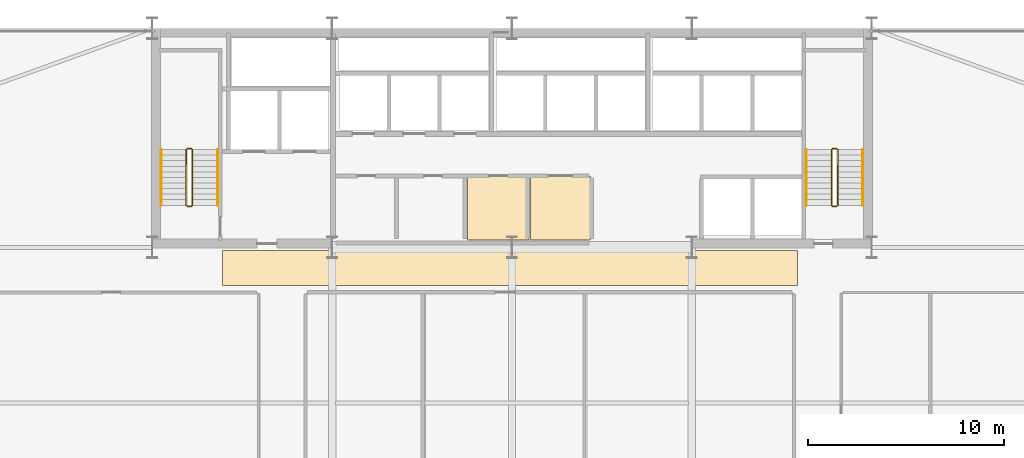
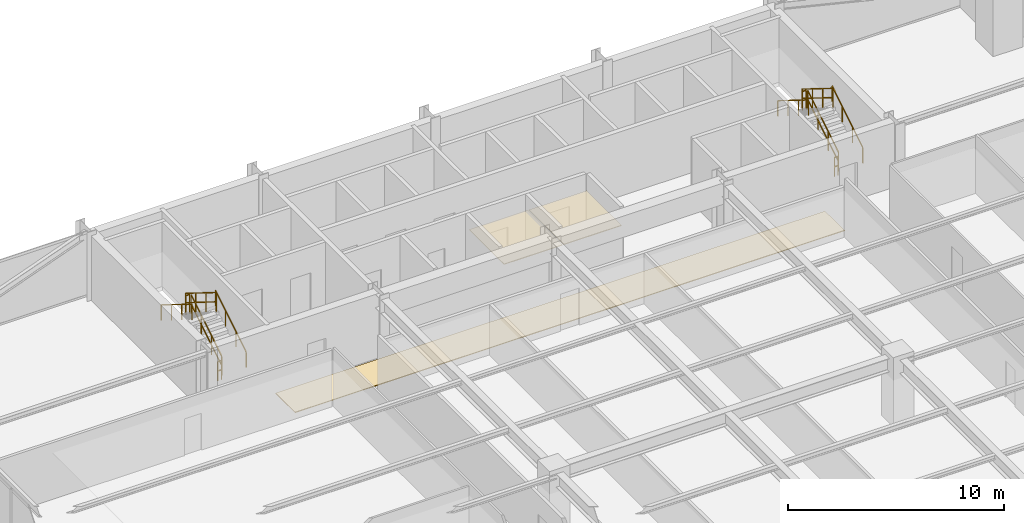
# One storey, part 31 of 31: 12 railings, 3 coverings.
"""IFC4 building model written with IfcOpenShell, lengths in metres."""

from ifc_helpers import new_model, si_unit, direction, frame, origin, origin_2d, place, context, subcontext, project, spatial, polyline, rectangle, outline, extrude, material, layer, layer_set, type_object, element, save


model = new_model("IFC4")

# Units and contexts
model_context = context("Model", 3, precision=1e-05, world=origin(), true_north=direction((0.0, 1.0)))
body_context = subcontext(model_context, "Body", "Model", "MODEL_VIEW")
ifc_project = project(units=[si_unit("LENGTHUNIT", "METRE"), si_unit("AREAUNIT", "SQUARE_METRE"), si_unit("VOLUMEUNIT", "CUBIC_METRE"), si_unit("PLANEANGLEUNIT", "RADIAN"), si_unit("MASSUNIT", "GRAM", prefix="KILO")], contexts=[model_context])

# Site, building, storey
site_placement = place(None, origin())
site = spatial("IfcSite", under=ifc_project, at=site_placement, CompositionType="ELEMENT")
building_placement = place(site_placement, origin())
building = spatial("IfcBuilding", under=site, at=building_placement, Name="Varnel Quay Broadcast Tower", CompositionType="ELEMENT")
storey_placement = place(building_placement, frame((0.0, 0.0, 35.39990234375)))
storey = spatial("IfcBuildingStorey", under=building, at=storey_placement, Name="L07", CompositionType="ELEMENT", Elevation=35.39990234375)

# Coverings
ifc_material_1 = material(Name="Micro-Perforated Acoustic Ceiling Tile")
ifc_layer_1 = layer(ifc_material_1, 0.0400390625, Name="Micro-Perforated Acoustic Ceiling Tile")
ifc_layer_set_1 = layer_set([ifc_layer_1], Name="Micro-Perforated Acoustic Ceiling Tile")
covering_type_1 = type_object("IfcCoveringType", Name="Cov_AcousticCeiling", PredefinedType="CEILING", material=ifc_layer_set_1)
covering_1_placement = place(storey_placement, frame((0.0, 0.0, 2.580078125)))
element("IfcCovering", 1, at=covering_1_placement, inside=storey, type_object=covering_type_1, Name="L07 Broadcast First-Aid & Quiet Room Acoustic Ceiling", PredefinedType="CEILING", context=body_context, shape_type="SweptSolid", body=[
    extrude(outline(polyline([(31.735107421875, 35.985107421875), (34.864990234375, 35.985107421875), (34.864990234375, 39.215087890625), (31.735107421875, 39.215087890625), (31.735107421875, 35.985107421875)])), origin(), (0.0, 0.0, 1.0), 0.0400390625),
])
covering_2_placement = place(storey_placement, frame((0.0, 0.0, 2.580078125)))
element("IfcCovering", 2, at=covering_2_placement, inside=storey, type_object=covering_type_1, Name="L07 Zone Lighting Dimmer Room Acoustic Ceiling", PredefinedType="CEILING", context=body_context, shape_type="SweptSolid", body=[
    extrude(outline(polyline([(34.93505859375, 35.985107421875), (38.014892578125, 35.985107421875), (38.014892578125, 39.215087890625), (34.93505859375, 39.215087890625), (34.93505859375, 35.985107421875)])), origin(), (0.0, 0.0, 1.0), 0.0400390625),
])
ifc_material_2 = material(Name="Polished Terrazzo & Broadcast Raised Flooring")
ifc_layer_2 = layer(ifc_material_2, 0.0400390625, Name="Polished Terrazzo & Broadcast Raised Flooring")
ifc_layer_set_2 = layer_set([ifc_layer_2], Name="Polished Terrazzo & Broadcast Raised Flooring")
covering_type_2 = type_object("IfcCoveringType", Name="Cov_TerrazzoFloor", PredefinedType="FLOORING", material=ifc_layer_set_2)
covering_3_placement = place(storey_placement, origin())
element("IfcCovering", 3, at=covering_3_placement, inside=storey, type_object=covering_type_2, Name="L07 Corridor Terrazzo Flooring", PredefinedType="FLOORING", context=body_context, shape_type="SweptSolid", body=[
    extrude(outline(polyline([(19.199951171875, 33.64990234375), (48.60009765625, 33.64990234375), (48.60009765625, 35.449951171875), (19.199951171875, 35.449951171875), (19.199951171875, 33.64990234375)])), origin(), (0.0, 0.0, 1.0), 0.0400390625),
])

# Railings
ifc_material_3 = material(Name="Painted Steel Guard and Handrail CSA G40.21 350W", Category="steel")
railing_type_1 = type_object("IfcRailingType", Name="Rail_StairGuard1100", PredefinedType="GUARDRAIL", material=ifc_material_3)
railing_1_placement = place(storey_placement, frame((17.64990234375, 37.75, 0.177490234375)))
element("IfcRailing", 4, at=railing_1_placement, inside=storey, type_object=railing_type_1, Name="L07 ST-01 stair guard 1", PredefinedType="GUARDRAIL", context=body_context, shape_type="SweptSolid", body=[
    extrude(rectangle(XDim=0.048095703125, YDim=0.048095703125, at=origin_2d()), frame((0.0, 0.0, 1.076171875), z_axis=(0.0, 0.849148672731, 0.528153890072), x_axis=(-1.0, 0.0, 0.0)), (0.0, 0.0, 1.0), 3.3564453125),
    extrude(rectangle(XDim=0.048095703125, YDim=0.048095703125, at=origin_2d()), frame((0.0, 0.0, 0.550048828125), z_axis=(0.0, 0.849148672731, 0.528153890072), x_axis=(-1.0, 0.0, 0.0)), (0.0, 0.0, 1.0), 3.3564453125),
    extrude(rectangle(XDim=0.0419921875, YDim=0.0419921875, at=origin_2d()), origin(), (0.0, 0.0, 1.0), 1.052001953125),
    extrude(rectangle(XDim=0.0419921875, YDim=0.0419921875, at=origin_2d()), frame((0.0, 0.949951171875, 0.5908203125)), (0.0, 0.0, 1.0), 1.052001953125),
    extrude(rectangle(XDim=0.0419921875, YDim=0.0419921875, at=origin_2d()), frame((0.0, 1.900146484375, 1.181884765625)), (0.0, 0.0, 1.0), 1.052001953125),
    extrude(rectangle(XDim=0.0419921875, YDim=0.0419921875, at=origin_2d()), frame((0.0, 2.85009765625, 1.772705078125)), (0.0, 0.0, 1.0), 1.052001953125),
])
railing_2_placement = place(storey_placement, frame((17.60009765625, 40.64990234375, 1.9501953125)))
element("IfcRailing", 5, at=railing_2_placement, inside=storey, type_object=railing_type_1, Name="L07 ST-01 stair guard 2", PredefinedType="GUARDRAIL", context=body_context, shape_type="SweptSolid", body=[
    extrude(rectangle(XDim=0.048095703125, YDim=0.048095703125, at=origin_2d()), frame((0.0, 0.0, 1.076171875), z_axis=(-1.0, 0.0, 0.0), x_axis=(0.0, -1.0, 0.0)), (0.0, 0.0, 1.0), 0.2001953125),
    extrude(rectangle(XDim=0.048095703125, YDim=0.048095703125, at=origin_2d()), frame((0.0, 0.0, 0.550048828125), z_axis=(-1.0, 0.0, 0.0), x_axis=(0.0, -1.0, 0.0)), (0.0, 0.0, 1.0), 0.2001953125),
    extrude(rectangle(XDim=0.0419921875, YDim=0.0419921875, at=origin_2d()), origin(), (0.0, 0.0, 1.0), 1.052001953125),
    extrude(rectangle(XDim=0.0419921875, YDim=0.0419921875, at=origin_2d()), frame((-0.2001953125, 0.0, 0.0)), (0.0, 0.0, 1.0), 1.052001953125),
])
railing_3_placement = place(storey_placement, frame((17.35009765625, 40.60009765625, 2.12744140625)))
element("IfcRailing", 6, at=railing_3_placement, inside=storey, type_object=railing_type_1, Name="L07 ST-01 stair guard 3", PredefinedType="GUARDRAIL", context=body_context, shape_type="SweptSolid", body=[
    extrude(rectangle(XDim=0.048095703125, YDim=0.048095703125, at=origin_2d()), frame((0.0, 0.0, 1.076171875), z_axis=(0.0, -0.849148672731, 0.528153890072), x_axis=(1.0, 0.0, 0.0)), (0.0, 0.0, 1.0), 3.3564453125),
    extrude(rectangle(XDim=0.048095703125, YDim=0.048095703125, at=origin_2d()), frame((0.0, 0.0, 0.550048828125), z_axis=(0.0, -0.849148672731, 0.528153890072), x_axis=(1.0, 0.0, 0.0)), (0.0, 0.0, 1.0), 3.3564453125),
    extrude(rectangle(XDim=0.0419921875, YDim=0.0419921875, at=origin_2d()), origin(), (0.0, 0.0, 1.0), 1.052001953125),
    extrude(rectangle(XDim=0.0419921875, YDim=0.0419921875, at=origin_2d()), frame((0.0, -0.949951171875, 0.5908203125)), (0.0, 0.0, 1.0), 1.052001953125),
    extrude(rectangle(XDim=0.0419921875, YDim=0.0419921875, at=origin_2d()), frame((0.0, -1.900146484375, 1.181884765625)), (0.0, 0.0, 1.0), 1.052001953125),
    extrude(rectangle(XDim=0.0419921875, YDim=0.0419921875, at=origin_2d()), frame((0.0, -2.85009765625, 1.772705078125)), (0.0, 0.0, 1.0), 1.052001953125),
])
railing_4_placement = place(storey_placement, frame((17.60009765625, 37.699951171875, 0.0)))
element("IfcRailing", 7, at=railing_4_placement, inside=storey, type_object=railing_type_1, Name="L07 ST-01 stair guard 4", PredefinedType="GUARDRAIL", context=body_context, shape_type="SweptSolid", body=[
    extrude(rectangle(XDim=0.048095703125, YDim=0.048095703125, at=origin_2d()), frame((0.0, 0.0, 1.076171875), z_axis=(-1.0, 0.0, 0.0), x_axis=(0.0, -1.0, 0.0)), (0.0, 0.0, 1.0), 0.2001953125),
    extrude(rectangle(XDim=0.048095703125, YDim=0.048095703125, at=origin_2d()), frame((0.0, 0.0, 0.550048828125), z_axis=(-1.0, 0.0, 0.0), x_axis=(0.0, -1.0, 0.0)), (0.0, 0.0, 1.0), 0.2001953125),
    extrude(rectangle(XDim=0.0419921875, YDim=0.0419921875, at=origin_2d()), origin(), (0.0, 0.0, 1.0), 1.052001953125),
    extrude(rectangle(XDim=0.0419921875, YDim=0.0419921875, at=origin_2d()), frame((-0.2001953125, 0.0, 0.0)), (0.0, 0.0, 1.0), 1.052001953125),
])
railing_5_placement = place(storey_placement, frame((50.64990234375, 37.75, 0.177490234375)))
element("IfcRailing", 8, at=railing_5_placement, inside=storey, type_object=railing_type_1, Name="L07 ST-02 stair guard 1", PredefinedType="GUARDRAIL", context=body_context, shape_type="SweptSolid", body=[
    extrude(rectangle(XDim=0.048095703125, YDim=0.048095703125, at=origin_2d()), frame((0.0, 0.0, 1.076171875), z_axis=(0.0, 0.849148672731, 0.528153890072), x_axis=(-1.0, 0.0, 0.0)), (0.0, 0.0, 1.0), 3.3564453125),
    extrude(rectangle(XDim=0.048095703125, YDim=0.048095703125, at=origin_2d()), frame((0.0, 0.0, 0.550048828125), z_axis=(0.0, 0.849148672731, 0.528153890072), x_axis=(-1.0, 0.0, 0.0)), (0.0, 0.0, 1.0), 3.3564453125),
    extrude(rectangle(XDim=0.0419921875, YDim=0.0419921875, at=origin_2d()), origin(), (0.0, 0.0, 1.0), 1.052001953125),
    extrude(rectangle(XDim=0.0419921875, YDim=0.0419921875, at=origin_2d()), frame((0.0, 0.949951171875, 0.5908203125)), (0.0, 0.0, 1.0), 1.052001953125),
    extrude(rectangle(XDim=0.0419921875, YDim=0.0419921875, at=origin_2d()), frame((0.0, 1.900146484375, 1.181884765625)), (0.0, 0.0, 1.0), 1.052001953125),
    extrude(rectangle(XDim=0.0419921875, YDim=0.0419921875, at=origin_2d()), frame((0.0, 2.85009765625, 1.772705078125)), (0.0, 0.0, 1.0), 1.052001953125),
])
railing_6_placement = place(storey_placement, frame((50.60009765625, 40.64990234375, 1.9501953125)))
element("IfcRailing", 9, at=railing_6_placement, inside=storey, type_object=railing_type_1, Name="L07 ST-02 stair guard 2", PredefinedType="GUARDRAIL", context=body_context, shape_type="SweptSolid", body=[
    extrude(rectangle(XDim=0.048095703125, YDim=0.048095703125, at=origin_2d()), frame((0.0, 0.0, 1.076171875), z_axis=(-1.0, 0.0, 0.0), x_axis=(0.0, -1.0, 0.0)), (0.0, 0.0, 1.0), 0.2001953125),
    extrude(rectangle(XDim=0.048095703125, YDim=0.048095703125, at=origin_2d()), frame((0.0, 0.0, 0.550048828125), z_axis=(-1.0, 0.0, 0.0), x_axis=(0.0, -1.0, 0.0)), (0.0, 0.0, 1.0), 0.2001953125),
    extrude(rectangle(XDim=0.0419921875, YDim=0.0419921875, at=origin_2d()), origin(), (0.0, 0.0, 1.0), 1.052001953125),
    extrude(rectangle(XDim=0.0419921875, YDim=0.0419921875, at=origin_2d()), frame((-0.2001953125, 0.0, 0.0)), (0.0, 0.0, 1.0), 1.052001953125),
])
railing_7_placement = place(storey_placement, frame((50.35009765625, 40.60009765625, 2.12744140625)))
element("IfcRailing", 10, at=railing_7_placement, inside=storey, type_object=railing_type_1, Name="L07 ST-02 stair guard 3", PredefinedType="GUARDRAIL", context=body_context, shape_type="SweptSolid", body=[
    extrude(rectangle(XDim=0.048095703125, YDim=0.048095703125, at=origin_2d()), frame((0.0, 0.0, 1.076171875), z_axis=(0.0, -0.849148672731, 0.528153890072), x_axis=(1.0, 0.0, 0.0)), (0.0, 0.0, 1.0), 3.3564453125),
    extrude(rectangle(XDim=0.048095703125, YDim=0.048095703125, at=origin_2d()), frame((0.0, 0.0, 0.550048828125), z_axis=(0.0, -0.849148672731, 0.528153890072), x_axis=(1.0, 0.0, 0.0)), (0.0, 0.0, 1.0), 3.3564453125),
    extrude(rectangle(XDim=0.0419921875, YDim=0.0419921875, at=origin_2d()), origin(), (0.0, 0.0, 1.0), 1.052001953125),
    extrude(rectangle(XDim=0.0419921875, YDim=0.0419921875, at=origin_2d()), frame((0.0, -0.949951171875, 0.5908203125)), (0.0, 0.0, 1.0), 1.052001953125),
    extrude(rectangle(XDim=0.0419921875, YDim=0.0419921875, at=origin_2d()), frame((0.0, -1.900146484375, 1.181884765625)), (0.0, 0.0, 1.0), 1.052001953125),
    extrude(rectangle(XDim=0.0419921875, YDim=0.0419921875, at=origin_2d()), frame((0.0, -2.85009765625, 1.772705078125)), (0.0, 0.0, 1.0), 1.052001953125),
])
railing_8_placement = place(storey_placement, frame((50.60009765625, 37.699951171875, 0.0)))
element("IfcRailing", 11, at=railing_8_placement, inside=storey, type_object=railing_type_1, Name="L07 ST-02 stair guard 4", PredefinedType="GUARDRAIL", context=body_context, shape_type="SweptSolid", body=[
    extrude(rectangle(XDim=0.048095703125, YDim=0.048095703125, at=origin_2d()), frame((0.0, 0.0, 1.076171875), z_axis=(-1.0, 0.0, 0.0), x_axis=(0.0, -1.0, 0.0)), (0.0, 0.0, 1.0), 0.2001953125),
    extrude(rectangle(XDim=0.048095703125, YDim=0.048095703125, at=origin_2d()), frame((0.0, 0.0, 0.550048828125), z_axis=(-1.0, 0.0, 0.0), x_axis=(0.0, -1.0, 0.0)), (0.0, 0.0, 1.0), 0.2001953125),
    extrude(rectangle(XDim=0.0419921875, YDim=0.0419921875, at=origin_2d()), origin(), (0.0, 0.0, 1.0), 1.052001953125),
    extrude(rectangle(XDim=0.0419921875, YDim=0.0419921875, at=origin_2d()), frame((-0.2001953125, 0.0, 0.0)), (0.0, 0.0, 1.0), 1.052001953125),
])
railing_type_2 = type_object("IfcRailingType", Name="Rail_StairHandrail900", PredefinedType="HANDRAIL", material=ifc_material_3)
railing_9_placement = place(storey_placement, frame((18.949951171875, 37.75, 0.177490234375)))
element("IfcRailing", 12, at=railing_9_placement, inside=storey, type_object=railing_type_2, Name="L07 ST-01 stair handrail 1", PredefinedType="HANDRAIL", context=body_context, shape_type="SweptSolid", body=[
    extrude(rectangle(XDim=0.048095703125, YDim=0.048095703125, at=origin_2d()), frame((0.0, 0.0, 0.8759765625), z_axis=(0.0, 0.849148672731, 0.528153890072), x_axis=(-1.0, 0.0, 0.0)), (0.0, 0.0, 1.0), 3.3564453125),
    extrude(rectangle(XDim=0.0419921875, YDim=0.0419921875, at=origin_2d()), origin(), (0.0, 0.0, 1.0), 0.851806640625),
    extrude(rectangle(XDim=0.0419921875, YDim=0.0419921875, at=origin_2d()), frame((0.0, 0.949951171875, 0.5908203125)), (0.0, 0.0, 1.0), 0.851806640625),
    extrude(rectangle(XDim=0.0419921875, YDim=0.0419921875, at=origin_2d()), frame((0.0, 1.900146484375, 1.181884765625)), (0.0, 0.0, 1.0), 0.851806640625),
    extrude(rectangle(XDim=0.0419921875, YDim=0.0419921875, at=origin_2d()), frame((0.0, 2.85009765625, 1.772705078125)), (0.0, 0.0, 1.0), 0.851806640625),
])
railing_10_placement = place(storey_placement, frame((16.050048828125, 40.60009765625, 2.12744140625)))
element("IfcRailing", 13, at=railing_10_placement, inside=storey, type_object=railing_type_2, Name="L07 ST-01 stair handrail 2", PredefinedType="HANDRAIL", context=body_context, shape_type="SweptSolid", body=[
    extrude(rectangle(XDim=0.048095703125, YDim=0.048095703125, at=origin_2d()), frame((0.0, 0.0, 0.8759765625), z_axis=(0.0, -0.849148672731, 0.528153890072), x_axis=(1.0, 0.0, 0.0)), (0.0, 0.0, 1.0), 3.3564453125),
    extrude(rectangle(XDim=0.0419921875, YDim=0.0419921875, at=origin_2d()), origin(), (0.0, 0.0, 1.0), 0.851806640625),
    extrude(rectangle(XDim=0.0419921875, YDim=0.0419921875, at=origin_2d()), frame((0.0, -0.949951171875, 0.5908203125)), (0.0, 0.0, 1.0), 0.851806640625),
    extrude(rectangle(XDim=0.0419921875, YDim=0.0419921875, at=origin_2d()), frame((0.0, -1.900146484375, 1.181884765625)), (0.0, 0.0, 1.0), 0.851806640625),
    extrude(rectangle(XDim=0.0419921875, YDim=0.0419921875, at=origin_2d()), frame((0.0, -2.85009765625, 1.772705078125)), (0.0, 0.0, 1.0), 0.851806640625),
])
railing_11_placement = place(storey_placement, frame((51.949951171875, 37.75, 0.177490234375)))
element("IfcRailing", 14, at=railing_11_placement, inside=storey, type_object=railing_type_2, Name="L07 ST-02 stair handrail 1", PredefinedType="HANDRAIL", context=body_context, shape_type="SweptSolid", body=[
    extrude(rectangle(XDim=0.048095703125, YDim=0.048095703125, at=origin_2d()), frame((0.0, 0.0, 0.8759765625), z_axis=(0.0, 0.849148672731, 0.528153890072), x_axis=(-1.0, 0.0, 0.0)), (0.0, 0.0, 1.0), 3.3564453125),
    extrude(rectangle(XDim=0.0419921875, YDim=0.0419921875, at=origin_2d()), origin(), (0.0, 0.0, 1.0), 0.851806640625),
    extrude(rectangle(XDim=0.0419921875, YDim=0.0419921875, at=origin_2d()), frame((0.0, 0.949951171875, 0.5908203125)), (0.0, 0.0, 1.0), 0.851806640625),
    extrude(rectangle(XDim=0.0419921875, YDim=0.0419921875, at=origin_2d()), frame((0.0, 1.900146484375, 1.181884765625)), (0.0, 0.0, 1.0), 0.851806640625),
    extrude(rectangle(XDim=0.0419921875, YDim=0.0419921875, at=origin_2d()), frame((0.0, 2.85009765625, 1.772705078125)), (0.0, 0.0, 1.0), 0.851806640625),
])
railing_12_placement = place(storey_placement, frame((49.050048828125, 40.60009765625, 2.12744140625)))
element("IfcRailing", 15, at=railing_12_placement, inside=storey, type_object=railing_type_2, Name="L07 ST-02 stair handrail 2", PredefinedType="HANDRAIL", context=body_context, shape_type="SweptSolid", body=[
    extrude(rectangle(XDim=0.048095703125, YDim=0.048095703125, at=origin_2d()), frame((0.0, 0.0, 0.8759765625), z_axis=(0.0, -0.849148672731, 0.528153890072), x_axis=(1.0, 0.0, 0.0)), (0.0, 0.0, 1.0), 3.3564453125),
    extrude(rectangle(XDim=0.0419921875, YDim=0.0419921875, at=origin_2d()), origin(), (0.0, 0.0, 1.0), 0.851806640625),
    extrude(rectangle(XDim=0.0419921875, YDim=0.0419921875, at=origin_2d()), frame((0.0, -0.949951171875, 0.5908203125)), (0.0, 0.0, 1.0), 0.851806640625),
    extrude(rectangle(XDim=0.0419921875, YDim=0.0419921875, at=origin_2d()), frame((0.0, -1.900146484375, 1.181884765625)), (0.0, 0.0, 1.0), 0.851806640625),
    extrude(rectangle(XDim=0.0419921875, YDim=0.0419921875, at=origin_2d()), frame((0.0, -2.85009765625, 1.772705078125)), (0.0, 0.0, 1.0), 0.851806640625),
])

save(model, "model.ifc")
